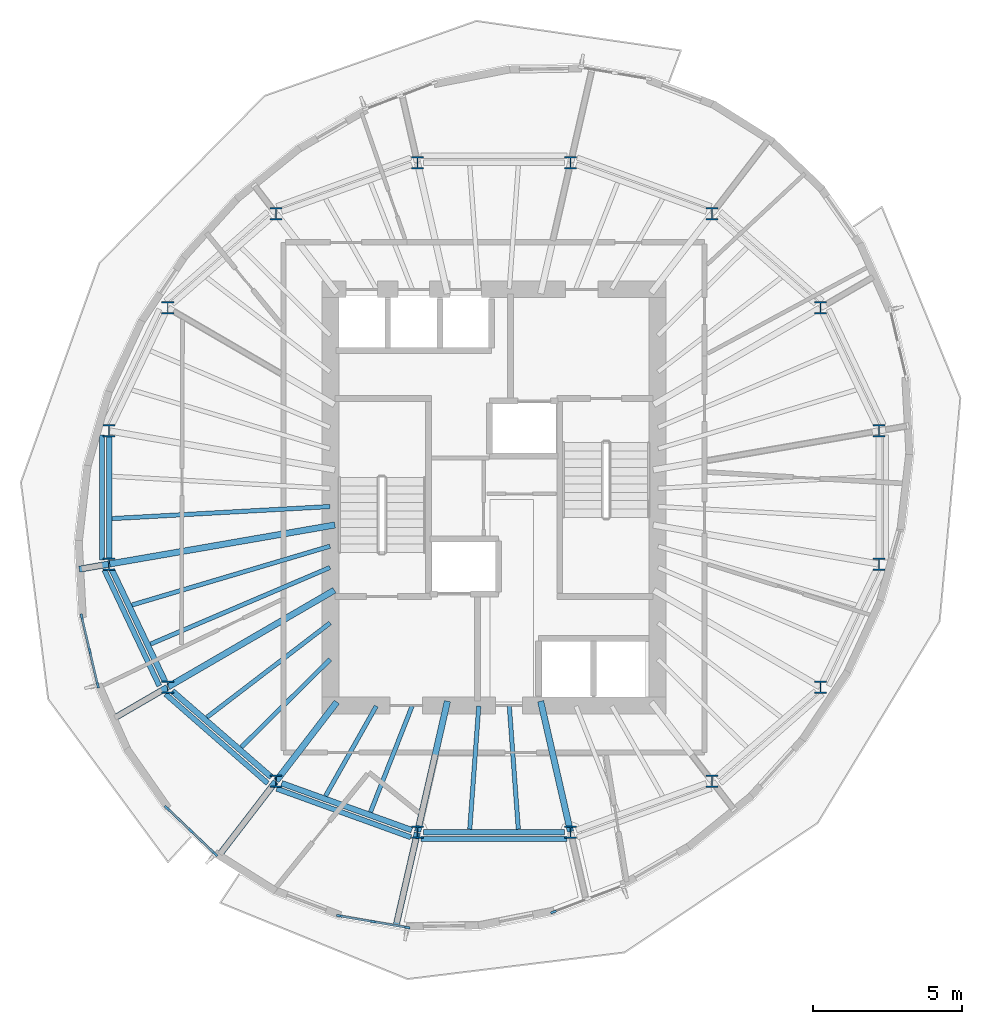
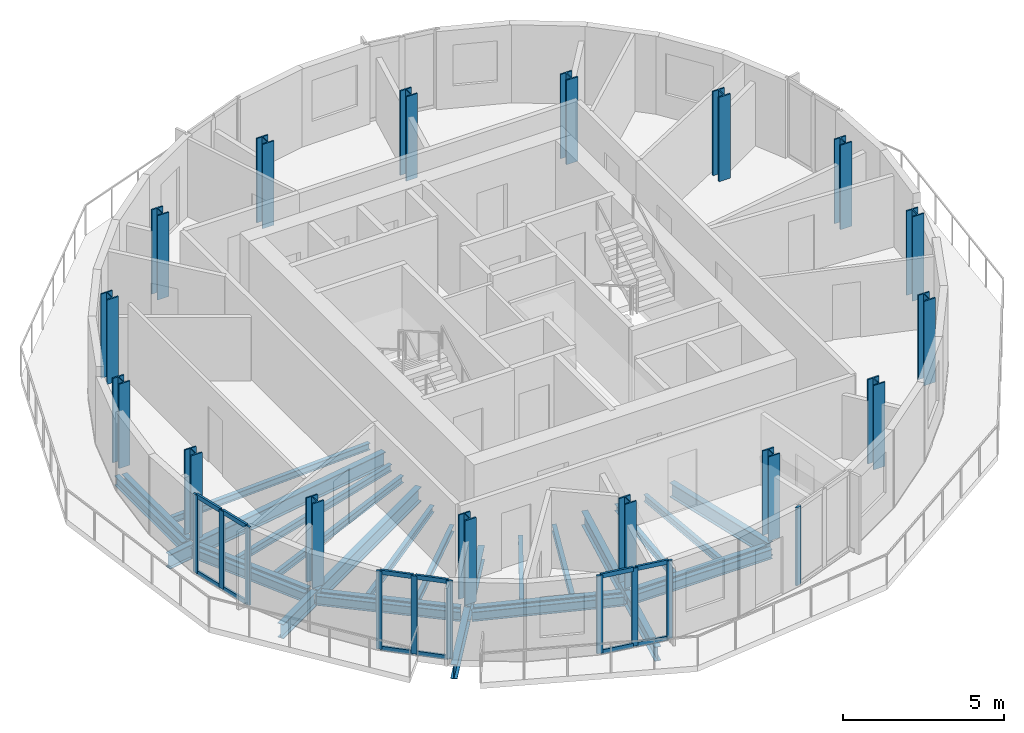
# One storey, part 1 of 11: 28 beams, 22 members, 16 columns, 4 elements without a shape of their own.
"""IFC4 building model written with IfcOpenShell, lengths in metres."""

from ifc_helpers import new_model, si_unit, direction, frame, origin, origin_2d, place, context, subcontext, project, spatial, rectangle, i_section, extrude, material, material_profile, profile_set, type_object, element, aggregate, save


model = new_model("IFC4")

# Units and contexts
model_context = context("Model", 3, precision=1e-05, world=origin(), true_north=direction((0.0, 1.0)))
body_context = subcontext(model_context, "Body", "Model", "MODEL_VIEW")
ifc_project = project(units=[si_unit("LENGTHUNIT", "METRE"), si_unit("AREAUNIT", "SQUARE_METRE"), si_unit("VOLUMEUNIT", "CUBIC_METRE"), si_unit("PLANEANGLEUNIT", "RADIAN"), si_unit("MASSUNIT", "GRAM", prefix="KILO")], contexts=[model_context])

# Site, building, storey
site_placement = place(None, origin())
site = spatial("IfcSite", under=ifc_project, at=site_placement, CompositionType="ELEMENT")
building_placement = place(site_placement, origin())
building = spatial("IfcBuilding", under=site, at=building_placement, Name="Veldorim Arch Residences", CompositionType="ELEMENT")
storey_placement = place(building_placement, frame((0.0, 0.0, 207.840087890625)))
storey = spatial("IfcBuildingStorey", under=building, at=storey_placement, Name="L62", CompositionType="ELEMENT", Elevation=207.840087890625)

# Columns
ifc_material_1 = material(Name="Steel S460", Category="steel")
ifc_material_profile_1 = material_profile(ifc_material_1, i_section(OverallWidth=0.406982421875, OverallDepth=0.4189453125, WebThickness=0.030517578125, FlangeThickness=0.04931640625, at=origin_2d()), Name="UC356x406x393")
ifc_profile_set_1 = profile_set([ifc_material_profile_1], Name="Steel S460")
column_type = type_object("IfcColumnType", Name="Structural Column UC356x406x393", PredefinedType="COLUMN", material=ifc_profile_set_1)
for number, where, z_axis, x_axis, name in (
    (1, (44.9462890625, 26.239501953125, 0.0), (0.0, 0.0, 1.0), (1.0, 0.0, 0.0), "L62 TC-Z4-01 perimeter column"),
    (2, (42.975341796875, 30.3779296875, 0.0), (0.0, 0.0, 1.0), (1.0, 0.0, 0.0), "L62 TC-Z4-02 perimeter column"),
    (3, (39.33349609375, 33.54541015625, 0.0), (0.0, 0.0, 1.0), (1.0, 0.0, 0.0), "L62 TC-Z4-03 perimeter column"),
    (4, (34.5751953125, 35.259521484375, 0.0), (0.0, 0.0, 1.0), (1.0, 0.0, 0.0), "L62 TC-Z4-04 perimeter column"),
    (5, (29.4248046875, 35.259521484375, 0.0), (0.0, 0.0, 1.0), (1.0, 0.0, 0.0), "L62 TC-Z4-05 perimeter column"),
    (6, (24.66650390625, 33.54541015625, 0.0), (0.0, 0.0, 1.0), (1.0, 0.0, 0.0), "L62 TC-Z4-06 perimeter column"),
    (7, (21.024658203125, 30.3779296875, 0.0), (0.0, 0.0, 1.0), (1.0, 0.0, 0.0), "L62 TC-Z4-07 perimeter column"),
    (8, (19.0537109375, 26.239501953125, 0.0), (0.0, 0.0, 1.0), (1.0, 0.0, 0.0), "L62 TC-Z4-08 perimeter column"),
    (9, (19.0537109375, 21.760498046875, 0.0), (0.0, 0.0, 1.0), (1.0, 0.0, 0.0), "L62 TC-Z4-09 perimeter column"),
    (10, (21.024658203125, 17.6220703125, 0.0), (0.0, 0.0, 1.0), (1.0, 0.0, 0.0), "L62 TC-Z4-10 perimeter column"),
    (11, (24.66650390625, 14.45458984375, 0.0), (0.0, 0.0, 1.0), (1.0, 0.0, 0.0), "L62 TC-Z4-11 perimeter column"),
    (12, (29.4248046875, 12.740478515625, 0.0), (0.0, 0.0, 1.0), (1.0, 0.0, 0.0), "L62 TC-Z4-12 perimeter column"),
    (13, (34.5751953125, 12.740478515625, 0.0), (0.0, 0.0, 1.0), (1.0, 0.0, 0.0), "L62 TC-Z4-13 perimeter column"),
    (14, (39.33349609375, 14.45458984375, 0.0), (0.0, 0.0, 1.0), (1.0, 0.0, 0.0), "L62 TC-Z4-14 perimeter column"),
    (15, (42.975341796875, 17.6220703125, 0.0), (0.0, 0.0, 1.0), (1.0, 0.0, 0.0), "L62 TC-Z4-15 perimeter column"),
    (16, (44.9462890625, 21.760498046875, 0.0), (0.0, 0.0, 1.0), (1.0, 0.0, 0.0), "L62 TC-Z4-16 perimeter column"),
):
    element("IfcColumn", number, at=place(storey_placement, frame(where, z_axis=z_axis, x_axis=x_axis)), inside=storey, type_object=column_type, Name=name, PredefinedType="COLUMN", context=body_context, shape_type="SweptSolid", body=[
        extrude(i_section(OverallWidth=0.406982421875, OverallDepth=0.4189453125, WebThickness=0.030517578125, FlangeThickness=0.04931640625, at=origin_2d()), origin(), (0.0, 0.0, 1.0), 3.199951171875),
    ])

# Beams
ifc_material_2 = material(Name="Steel S355", Category="steel")
ifc_material_profile_2 = material_profile(ifc_material_2, i_section(OverallWidth=0.2119140625, OverallDepth=0.54443359375, WebThickness=0.0126953125, FlangeThickness=0.021240234375, at=origin_2d()), Name="UB533x210x122")
ifc_profile_set_2 = profile_set([ifc_material_profile_2], Name="Steel S355")
beam_type_1 = type_object("IfcBeamType", Name="Structural Steel Beam UB533x210x122", PredefinedType="BEAM", material=ifc_profile_set_2)
beam_1_placement = place(storey_placement, frame((26.647705078125, 23.07421875, -0.512451171875), z_axis=(-0.985364974081, -0.170457818401, 0.0), x_axis=(0.170457818401, -0.985364974081, 0.0)))
element("IfcBeam", 17, at=beam_1_placement, inside=storey, type_object=beam_type_1, Name="L62 radial floor girder 09", PredefinedType="BEAM", context=body_context, shape_type="SweptSolid", body=[
    extrude(i_section(OverallWidth=0.2119140625, OverallDepth=0.54443359375, WebThickness=0.0126953125, FlangeThickness=0.021240234375, at=origin_2d()), origin(), (0.0, 0.0, 1.0), 7.68701171875),
])
beam_2_placement = place(storey_placement, frame((19.033935546875, 21.757080078125, -0.512451171875), z_axis=(-0.985359962619, -0.170486785611, 0.0), x_axis=(0.170486785611, -0.985359962619, 0.0)))
element("IfcBeam", 18, at=beam_2_placement, inside=storey, type_object=beam_type_1, Name="L62 radial edge cantilever girder 09", PredefinedType="BEAM", context=body_context, shape_type="SweptSolid", body=[
    extrude(i_section(OverallWidth=0.2119140625, OverallDepth=0.54443359375, WebThickness=0.0126953125, FlangeThickness=0.021240234375, at=origin_2d()), origin(), (0.0, 0.0, 1.0), 1.0009765625),
])
beam_3_placement = place(storey_placement, frame((26.629638671875, 20.87939453125, -0.512451171875), z_axis=(-0.864595736304, -0.502468121142, 0.0), x_axis=(0.502468121142, -0.864595736304, 0.0)))
element("IfcBeam", 19, at=beam_3_placement, inside=storey, type_object=beam_type_1, Name="L62 radial floor girder 10", PredefinedType="BEAM", context=body_context, shape_type="SweptSolid", body=[
    extrude(i_section(OverallWidth=0.2119140625, OverallDepth=0.54443359375, WebThickness=0.0126953125, FlangeThickness=0.021240234375, at=origin_2d()), origin(), (0.0, 0.0, 1.0), 6.462646484375),
])
beam_4_placement = place(storey_placement, frame((21.00732421875, 17.612060546875, -0.512451171875), z_axis=(-0.864627264139, -0.502413867351, 0.0), x_axis=(0.502413867351, -0.864627264139, 0.0)))
element("IfcBeam", 20, at=beam_4_placement, inside=storey, type_object=beam_type_1, Name="L62 radial edge cantilever girder 10", PredefinedType="BEAM", context=body_context, shape_type="SweptSolid", body=[
    extrude(i_section(OverallWidth=0.2119140625, OverallDepth=0.54443359375, WebThickness=0.0126953125, FlangeThickness=0.021240234375, at=origin_2d()), origin(), (0.0, 0.0, 1.0), 2.11572265625),
])
beam_5_placement = place(storey_placement, frame((26.71337890625, 17.118896484375, -0.512451171875), z_axis=(-0.609258442308, -0.792971721108, 0.0), x_axis=(0.792971721108, -0.609258442308, 0.0)))
element("IfcBeam", 21, at=beam_5_placement, inside=storey, type_object=beam_type_1, Name="L62 radial floor girder 11", PredefinedType="BEAM", context=body_context, shape_type="SweptSolid", body=[
    extrude(i_section(OverallWidth=0.2119140625, OverallDepth=0.54443359375, WebThickness=0.0126953125, FlangeThickness=0.021240234375, at=origin_2d()), origin(), (0.0, 0.0, 1.0), 3.339599609375),
])
beam_6_placement = place(storey_placement, frame((24.654296875, 14.438720703125, -0.512451171875), z_axis=(-0.609276560014, -0.792957800527, 0.0), x_axis=(0.792957800527, -0.609276560014, 0.0)))
element("IfcBeam", 22, at=beam_6_placement, inside=storey, type_object=beam_type_1, Name="L62 radial edge cantilever girder 11", PredefinedType="BEAM", context=body_context, shape_type="SweptSolid", body=[
    extrude(i_section(OverallWidth=0.2119140625, OverallDepth=0.54443359375, WebThickness=0.0126953125, FlangeThickness=0.021240234375, at=origin_2d()), origin(), (0.0, 0.0, 1.0), 3.15283203125),
])
beam_7_placement = place(storey_placement, frame((30.432373046875, 17.146240234375, -0.512451171875), z_axis=(-0.222952976993, -0.97482920045, 0.0), x_axis=(0.97482920045, -0.222952976993, 0.0)))
element("IfcBeam", 23, at=beam_7_placement, inside=storey, type_object=beam_type_1, Name="L62 radial floor girder 12", PredefinedType="BEAM", context=body_context, shape_type="SweptSolid", body=[
    extrude(i_section(OverallWidth=0.2119140625, OverallDepth=0.54443359375, WebThickness=0.0126953125, FlangeThickness=0.021240234375, at=origin_2d()), origin(), (0.0, 0.0, 1.0), 4.49951171875),
])
beam_8_placement = place(storey_placement, frame((29.42041015625, 12.72119140625, -0.512451171875), z_axis=(-0.222999223543, -0.974818622257, 0.0), x_axis=(0.974818622257, -0.222999223543, 0.0)))
element("IfcBeam", 24, at=beam_8_placement, inside=storey, type_object=beam_type_1, Name="L62 radial edge cantilever girder 12", PredefinedType="BEAM", context=body_context, shape_type="SweptSolid", body=[
    extrude(i_section(OverallWidth=0.2119140625, OverallDepth=0.54443359375, WebThickness=0.0126953125, FlangeThickness=0.021240234375, at=origin_2d()), origin(), (0.0, 0.0, 1.0), 3.1923828125),
])
beam_9_placement = place(storey_placement, frame((33.567626953125, 17.146240234375, -0.512451171875), z_axis=(0.222952976993, -0.97482920045, 0.0), x_axis=(0.97482920045, 0.222952976993, 0.0)))
element("IfcBeam", 25, at=beam_9_placement, inside=storey, type_object=beam_type_1, Name="L62 radial floor girder 13", PredefinedType="BEAM", context=body_context, shape_type="SweptSolid", body=[
    extrude(i_section(OverallWidth=0.2119140625, OverallDepth=0.54443359375, WebThickness=0.0126953125, FlangeThickness=0.021240234375, at=origin_2d()), origin(), (0.0, 0.0, 1.0), 4.49951171875),
])
ifc_material_3 = material(Name="Steel S355", Category="steel")
ifc_material_profile_3 = material_profile(ifc_material_3, i_section(OverallWidth=0.146484375, OverallDepth=0.256103515625, WebThickness=0.00634765625, FlangeThickness=0.010986328125, at=origin_2d()), Name="UB254x146x37")
ifc_profile_set_3 = profile_set([ifc_material_profile_3], Name="Steel S355")
beam_type_2 = type_object("IfcBeamType", Name="Structural Steel Joist UB254x146x37", PredefinedType="JOIST", material=ifc_profile_set_3)
beam_10_placement = place(storey_placement, frame((26.47998046875, 23.6943359375, -0.3681640625), z_axis=(-0.998472000884, -0.055259962464, 0.0), x_axis=(0.055259962464, -0.998472000884, 0.0)))
element("IfcBeam", 26, at=beam_10_placement, inside=storey, type_object=beam_type_2, Name="L62 secondary radial floor joist 08-2", PredefinedType="JOIST", context=body_context, shape_type="SweptSolid", body=[
    extrude(i_section(OverallWidth=0.146484375, OverallDepth=0.256103515625, WebThickness=0.00634765625, FlangeThickness=0.010986328125, at=origin_2d()), origin(), (0.0, 0.0, 1.0), 7.33837890625),
])
beam_11_placement = place(storey_placement, frame((26.480712890625, 22.360595703125, -0.3681640625), z_axis=(-0.958594432792, -0.284774846889, 0.0), x_axis=(0.284774846889, -0.958594432792, 0.0)))
element("IfcBeam", 27, at=beam_11_placement, inside=storey, type_object=beam_type_2, Name="L62 secondary radial floor joist 09-1", PredefinedType="JOIST", context=body_context, shape_type="SweptSolid", body=[
    extrude(i_section(OverallWidth=0.146484375, OverallDepth=0.256103515625, WebThickness=0.00634765625, FlangeThickness=0.010986328125, at=origin_2d()), origin(), (0.0, 0.0, 1.0), 6.949462890625),
])
beam_12_placement = place(storey_placement, frame((26.481689453125, 21.644287109375, -0.3681640625), z_axis=(-0.919725161652, -0.392562895629, 0.0), x_axis=(0.392562895629, -0.919725161652, 0.0)))
element("IfcBeam", 28, at=beam_12_placement, inside=storey, type_object=beam_type_2, Name="L62 secondary radial floor joist 09-2", PredefinedType="JOIST", context=body_context, shape_type="SweptSolid", body=[
    extrude(i_section(OverallWidth=0.146484375, OverallDepth=0.256103515625, WebThickness=0.00634765625, FlangeThickness=0.010986328125, at=origin_2d()), origin(), (0.0, 0.0, 1.0), 6.5625),
])
beam_13_placement = place(storey_placement, frame((26.484130859375, 19.777099609375, -0.3681640625), z_axis=(-0.794013672216, -0.607899899929, 0.0), x_axis=(0.607899899929, -0.794013672216, 0.0)))
element("IfcBeam", 29, at=beam_13_placement, inside=storey, type_object=beam_type_2, Name="L62 secondary radial floor joist 10-1", PredefinedType="JOIST", context=body_context, shape_type="SweptSolid", body=[
    extrude(i_section(OverallWidth=0.146484375, OverallDepth=0.256103515625, WebThickness=0.00634765625, FlangeThickness=0.010986328125, at=origin_2d()), origin(), (0.0, 0.0, 1.0), 5.217041015625),
])
beam_14_placement = place(storey_placement, frame((26.48583984375, 18.55224609375, -0.3681640625), z_axis=(-0.711396725432, -0.702790650937, 0.0), x_axis=(0.702790650937, -0.711396725432, 0.0)))
element("IfcBeam", 30, at=beam_14_placement, inside=storey, type_object=beam_type_2, Name="L62 secondary radial floor joist 10-2", PredefinedType="JOIST", context=body_context, shape_type="SweptSolid", body=[
    extrude(i_section(OverallWidth=0.146484375, OverallDepth=0.256103515625, WebThickness=0.00634765625, FlangeThickness=0.010986328125, at=origin_2d()), origin(), (0.0, 0.0, 1.0), 4.198486328125),
])
beam_15_placement = place(storey_placement, frame((28.039794921875, 16.982666015625, -0.3681640625), z_axis=(-0.491452469585, -0.870904397818, 0.0), x_axis=(0.870904397818, -0.491452469585, 0.0)))
element("IfcBeam", 31, at=beam_15_placement, inside=storey, type_object=beam_type_2, Name="L62 secondary radial floor joist 11-1", PredefinedType="JOIST", context=body_context, shape_type="SweptSolid", body=[
    extrude(i_section(OverallWidth=0.146484375, OverallDepth=0.256103515625, WebThickness=0.00634765625, FlangeThickness=0.010986328125, at=origin_2d()), origin(), (0.0, 0.0, 1.0), 3.472412109375),
])
beam_16_placement = place(storey_placement, frame((29.24365234375, 16.9814453125, -0.3681640625), z_axis=(-0.365581383042, -0.930779379001, 0.0), x_axis=(0.930779379001, -0.365581383042, 0.0)))
element("IfcBeam", 32, at=beam_16_placement, inside=storey, type_object=beam_type_2, Name="L62 secondary radial floor joist 11-2", PredefinedType="JOIST", context=body_context, shape_type="SweptSolid", body=[
    extrude(i_section(OverallWidth=0.146484375, OverallDepth=0.256103515625, WebThickness=0.00634765625, FlangeThickness=0.010986328125, at=origin_2d()), origin(), (0.0, 0.0, 1.0), 3.83056640625),
])
for number, where, z_axis, x_axis, name in (
    (33, (31.486083984375, 16.97998046875, -0.3681640625), (-0.072985625899, -0.997332992742, 0.0), (0.997332992742, -0.072985625899, 0.0), "L62 secondary radial floor joist 12-1"),
    (34, (32.513916015625, 16.97998046875, -0.3681640625), (0.072985625899, -0.997332992742, 0.0), (0.997332992742, 0.072985625899, 0.0), "L62 secondary radial floor joist 12-2"),
):
    element("IfcBeam", number, at=place(storey_placement, frame(where, z_axis=z_axis, x_axis=x_axis)), inside=storey, type_object=beam_type_2, Name=name, PredefinedType="JOIST", context=body_context, shape_type="SweptSolid", body=[
        extrude(i_section(OverallWidth=0.146484375, OverallDepth=0.256103515625, WebThickness=0.00634765625, FlangeThickness=0.010986328125, at=origin_2d()), origin(), (0.0, 0.0, 1.0), 4.151123046875),
    ])
ifc_material_4 = material(Name="Steel S355", Category="steel")
ifc_material_profile_4 = material_profile(ifc_material_4, i_section(OverallWidth=0.172119140625, OverallDepth=0.35791015625, WebThickness=0.008056640625, FlangeThickness=0.012939453125, at=origin_2d()), Name="UB356x171x57")
ifc_profile_set_4 = profile_set([ifc_material_profile_4], Name="Steel S355")
beam_type_3 = type_object("IfcBeamType", Name="Structural Steel Spandrel UB356x171x57", PredefinedType="SPANDREL", material=ifc_profile_set_4)
beam_17_placement = place(storey_placement, frame((18.817138671875, 26.101318359375, -0.439208984375), z_axis=(0.0, -1.0, 0.0), x_axis=(1.0, 0.0, 0.0)))
element("IfcBeam", 35, at=beam_17_placement, inside=storey, type_object=beam_type_3, Name="L62 perimeter chord spandrel beam 08", PredefinedType="SPANDREL", context=body_context, shape_type="SweptSolid", body=[
    extrude(i_section(OverallWidth=0.172119140625, OverallDepth=0.35791015625, WebThickness=0.008056640625, FlangeThickness=0.012939453125, at=origin_2d()), origin(), (0.0, 0.0, 1.0), 4.20263671875),
])
beam_18_placement = place(storey_placement, frame((18.893798828125, 21.5576171875, -0.439208984375), z_axis=(0.428468601304, -0.903556670994, 0.0), x_axis=(0.903556670994, 0.428468601304, 0.0)))
element("IfcBeam", 36, at=beam_18_placement, inside=storey, type_object=beam_type_3, Name="L62 perimeter chord spandrel beam 09", PredefinedType="SPANDREL", context=body_context, shape_type="SweptSolid", body=[
    extrude(i_section(OverallWidth=0.172119140625, OverallDepth=0.35791015625, WebThickness=0.008056640625, FlangeThickness=0.012939453125, at=origin_2d()), origin(), (0.0, 0.0, 1.0), 4.31005859375),
])
beam_19_placement = place(storey_placement, frame((20.951904296875, 17.3837890625, -0.439208984375), z_axis=(0.752868439096, -0.658171036596, 0.0), x_axis=(0.658171036596, 0.752868439096, 0.0)))
element("IfcBeam", 37, at=beam_19_placement, inside=storey, type_object=beam_type_3, Name="L62 perimeter chord spandrel beam 10", PredefinedType="SPANDREL", context=body_context, shape_type="SweptSolid", body=[
    extrude(i_section(OverallWidth=0.172119140625, OverallDepth=0.35791015625, WebThickness=0.008056640625, FlangeThickness=0.012939453125, at=origin_2d()), origin(), (0.0, 0.0, 1.0), 4.560791015625),
])
beam_20_placement = place(storey_placement, frame((24.688720703125, 14.203369140625, -0.439208984375), z_axis=(0.940178823137, -0.340681347486, 0.0), x_axis=(0.340681347486, 0.940178823137, 0.0)))
element("IfcBeam", 38, at=beam_20_placement, inside=storey, type_object=beam_type_3, Name="L62 perimeter chord spandrel beam 11", PredefinedType="SPANDREL", context=body_context, shape_type="SweptSolid", body=[
    extrude(i_section(OverallWidth=0.172119140625, OverallDepth=0.35791015625, WebThickness=0.008056640625, FlangeThickness=0.012939453125, at=origin_2d()), origin(), (0.0, 0.0, 1.0), 4.80126953125),
])
beam_21_placement = place(storey_placement, frame((29.55029296875, 12.506591796875, -0.439208984375), z_axis=(1.0, 0.0, 0.0), x_axis=(0.0, 1.0, 0.0)))
element("IfcBeam", 39, at=beam_21_placement, inside=storey, type_object=beam_type_3, Name="L62 perimeter chord spandrel beam 12", PredefinedType="SPANDREL", context=body_context, shape_type="SweptSolid", body=[
    extrude(i_section(OverallWidth=0.172119140625, OverallDepth=0.35791015625, WebThickness=0.008056640625, FlangeThickness=0.012939453125, at=origin_2d()), origin(), (0.0, 0.0, 1.0), 4.8994140625),
])
ifc_material_5 = material(Name="Steel S355", Category="steel")
ifc_material_profile_5 = material_profile(ifc_material_5, i_section(OverallWidth=0.19140625, OverallDepth=0.4599609375, WebThickness=0.010009765625, FlangeThickness=0.01611328125, at=origin_2d()), Name="UB457x191x82")
ifc_profile_set_5 = profile_set([ifc_material_profile_5], Name="Steel S355")
beam_type_4 = type_object("IfcBeamType", Name="Structural Steel Spandrel UB457x191x82", PredefinedType="SPANDREL", material=ifc_profile_set_5)
beam_22_placement = place(storey_placement, frame((19.0537109375, 26.0361328125, -0.469970703125), z_axis=(0.0, -1.0, 0.0), x_axis=(1.0, 0.0, 0.0)))
element("IfcBeam", 40, at=beam_22_placement, inside=storey, type_object=beam_type_4, Name="L62 perimeter ring tie beam 08", PredefinedType="SPANDREL", context=body_context, shape_type="SweptSolid", body=[
    extrude(i_section(OverallWidth=0.19140625, OverallDepth=0.4599609375, WebThickness=0.010009765625, FlangeThickness=0.01611328125, at=origin_2d()), origin(), (0.0, 0.0, 1.0), 4.072265625),
])
beam_23_placement = place(storey_placement, frame((19.14111328125, 21.57666015625, -0.469970703125), z_axis=(0.429992574394, -0.902832424078, 0.0), x_axis=(0.902832424078, 0.429992574394, 0.0)))
element("IfcBeam", 41, at=beam_23_placement, inside=storey, type_object=beam_type_4, Name="L62 perimeter ring tie beam 09", PredefinedType="SPANDREL", context=body_context, shape_type="SweptSolid", body=[
    extrude(i_section(OverallWidth=0.19140625, OverallDepth=0.4599609375, WebThickness=0.010009765625, FlangeThickness=0.01611328125, at=origin_2d()), origin(), (0.0, 0.0, 1.0), 4.176513671875),
])
beam_24_placement = place(storey_placement, frame((21.17822265625, 17.488525390625, -0.469970703125), z_axis=(0.754534162517, -0.656260769508, 0.0), x_axis=(0.656260769508, 0.754534162517, 0.0)))
element("IfcBeam", 42, at=beam_24_placement, inside=storey, type_object=beam_type_4, Name="L62 perimeter ring tie beam 10", PredefinedType="SPANDREL", context=body_context, shape_type="SweptSolid", body=[
    extrude(i_section(OverallWidth=0.19140625, OverallDepth=0.4599609375, WebThickness=0.010009765625, FlangeThickness=0.01611328125, at=origin_2d()), origin(), (0.0, 0.0, 1.0), 4.419677734375),
])
beam_25_placement = place(storey_placement, frame((24.85791015625, 14.3857421875, -0.469970703125), z_axis=(0.940819134121, -0.338909068736, 0.0), x_axis=(0.338909068736, 0.940819134121, 0.0)))
element("IfcBeam", 43, at=beam_25_placement, inside=storey, type_object=beam_type_4, Name="L62 perimeter ring tie beam 11", PredefinedType="SPANDREL", context=body_context, shape_type="SweptSolid", body=[
    extrude(i_section(OverallWidth=0.19140625, OverallDepth=0.4599609375, WebThickness=0.010009765625, FlangeThickness=0.01611328125, at=origin_2d()), origin(), (0.0, 0.0, 1.0), 4.650634765625),
])
beam_26_placement = place(storey_placement, frame((29.62841796875, 12.740478515625, -0.469970703125), z_axis=(1.0, 0.0, 0.0), x_axis=(0.0, 1.0, 0.0)))
element("IfcBeam", 44, at=beam_26_placement, inside=storey, type_object=beam_type_4, Name="L62 perimeter ring tie beam 12", PredefinedType="SPANDREL", context=body_context, shape_type="SweptSolid", body=[
    extrude(i_section(OverallWidth=0.19140625, OverallDepth=0.4599609375, WebThickness=0.010009765625, FlangeThickness=0.01611328125, at=origin_2d()), origin(), (0.0, 0.0, 1.0), 4.7431640625),
])

# Curtain wall, members
ifc_material_6 = material(Name="Aluminium", Category="aluminium")
curtain_wall_type = type_object("IfcCurtainWallType", Name="Zone 4 High-Altitude Unitised Curtain Wall", PredefinedType="NOTDEFINED", material=ifc_material_6)
curtain_wall_1_placement = place(storey_placement, origin())
curtain_wall_1 = element("IfcCurtainWall", 45, at=curtain_wall_1_placement, inside=storey, type_object=curtain_wall_type, Name="L62 unitised curtain wall bay 15", PredefinedType="NOTDEFINED")
ifc_material_7 = material(Name="Aluminium", Category="aluminium")
ifc_material_profile_6 = material_profile(ifc_material_7, rectangle(XDim=0.074951171875, YDim=0.195068359375, at=origin_2d()), Name="ALU_MUL_75x195")
ifc_profile_set_6 = profile_set([ifc_material_profile_6], Name="Aluminium")
member_type_1 = type_object("IfcMemberType", Name="Zone 4 High-Altitude Unitised Curtain Wall Mullion 75x195", PredefinedType="MULLION", material=ifc_profile_set_6)
member_1_placement = place(storey_placement, frame((18.67138671875, 17.68359375, 0.0), z_axis=(0.0, 0.0, 1.0), x_axis=(-0.973448307703, -0.228906951032, 0.0)))
member_1 = element("IfcMember", 46, at=member_1_placement, type_object=member_type_1, Name="CW-Z4 mullion 1", PredefinedType="MULLION", context=body_context, shape_type="SweptSolid", body=[
    extrude(rectangle(XDim=0.074951171875, YDim=0.195068359375, at=origin_2d()), origin(), (0.0, 0.0, 1.0), 2.9599609375),
])
member_2_placement = place(storey_placement, frame((18.400390625, 18.835693359375, 0.0), z_axis=(0.0, 0.0, 1.0), x_axis=(-0.973448307703, -0.228906951032, 0.0)))
member_2 = element("IfcMember", 47, at=member_2_placement, type_object=member_type_1, Name="CW-Z4 mullion 2", PredefinedType="MULLION", context=body_context, shape_type="SweptSolid", body=[
    extrude(rectangle(XDim=0.074951171875, YDim=0.195068359375, at=origin_2d()), origin(), (0.0, 0.0, 1.0), 2.9599609375),
])
member_3_placement = place(storey_placement, frame((18.129638671875, 19.98779296875, 0.0), z_axis=(0.0, 0.0, 1.0), x_axis=(-0.973448307703, -0.228906951032, 0.0)))
member_3 = element("IfcMember", 48, at=member_3_placement, type_object=member_type_1, Name="CW-Z4 mullion 3", PredefinedType="MULLION", context=body_context, shape_type="SweptSolid", body=[
    extrude(rectangle(XDim=0.074951171875, YDim=0.195068359375, at=origin_2d()), origin(), (0.0, 0.0, 1.0), 2.9599609375),
])

curtain_wall_2_placement = place(storey_placement, origin())
curtain_wall_2 = element("IfcCurtainWall", 49, at=curtain_wall_2_placement, inside=storey, type_object=curtain_wall_type, Name="L62 unitised curtain wall bay 18", PredefinedType="NOTDEFINED")
member_4_placement = place(storey_placement, frame((22.619873046875, 12.00537109375, 0.0), z_axis=(0.0, 0.0, 1.0), x_axis=(-0.690461423139, -0.723369216346, 0.0)))
member_4 = element("IfcMember", 50, at=member_4_placement, type_object=member_type_1, Name="CW-Z4 mullion 1", PredefinedType="MULLION", context=body_context, shape_type="SweptSolid", body=[
    extrude(rectangle(XDim=0.074951171875, YDim=0.195068359375, at=origin_2d()), origin(), (0.0, 0.0, 1.0), 2.9599609375),
])
member_5_placement = place(storey_placement, frame((21.80615234375, 12.7822265625, 0.0), z_axis=(0.0, 0.0, 1.0), x_axis=(-0.690461423139, -0.723369216346, 0.0)))
member_5 = element("IfcMember", 51, at=member_5_placement, type_object=member_type_1, Name="CW-Z4 mullion 2", PredefinedType="MULLION", context=body_context, shape_type="SweptSolid", body=[
    extrude(rectangle(XDim=0.074951171875, YDim=0.195068359375, at=origin_2d()), origin(), (0.0, 0.0, 1.0), 2.9599609375),
])
member_6_placement = place(storey_placement, frame((20.992431640625, 13.558837890625, 0.0), z_axis=(0.0, 0.0, 1.0), x_axis=(-0.690461423139, -0.723369216346, 0.0)))
member_6 = element("IfcMember", 52, at=member_6_placement, type_object=member_type_1, Name="CW-Z4 mullion 3", PredefinedType="MULLION", context=body_context, shape_type="SweptSolid", body=[
    extrude(rectangle(XDim=0.074951171875, YDim=0.195068359375, at=origin_2d()), origin(), (0.0, 0.0, 1.0), 2.9599609375),
])

curtain_wall_3_placement = place(storey_placement, origin())
curtain_wall_3 = element("IfcCurtainWall", 53, at=curtain_wall_3_placement, inside=storey, type_object=curtain_wall_type, Name="L62 unitised curtain wall bay 21", PredefinedType="NOTDEFINED")
member_7_placement = place(storey_placement, frame((29.078369140625, 9.53564453125, 0.0), z_axis=(0.0, 0.0, 1.0), x_axis=(-0.168730171812, -0.985662279445, 0.0)))
member_7 = element("IfcMember", 54, at=member_7_placement, type_object=member_type_1, Name="CW-Z4 mullion 1", PredefinedType="MULLION", context=body_context, shape_type="SweptSolid", body=[
    extrude(rectangle(XDim=0.074951171875, YDim=0.195068359375, at=origin_2d()), origin(), (0.0, 0.0, 1.0), 2.9599609375),
])
member_8_placement = place(storey_placement, frame((27.938720703125, 9.73095703125, 0.0), z_axis=(0.0, 0.0, 1.0), x_axis=(-0.168730171812, -0.985662279445, 0.0)))
member_8 = element("IfcMember", 55, at=member_8_placement, type_object=member_type_1, Name="CW-Z4 mullion 2", PredefinedType="MULLION", context=body_context, shape_type="SweptSolid", body=[
    extrude(rectangle(XDim=0.074951171875, YDim=0.195068359375, at=origin_2d()), origin(), (0.0, 0.0, 1.0), 2.9599609375),
])
member_9_placement = place(storey_placement, frame((26.798828125, 9.926025390625, 0.0), z_axis=(0.0, 0.0, 1.0), x_axis=(-0.168730171812, -0.985662279445, 0.0)))
member_9 = element("IfcMember", 56, at=member_9_placement, type_object=member_type_1, Name="CW-Z4 mullion 3", PredefinedType="MULLION", context=body_context, shape_type="SweptSolid", body=[
    extrude(rectangle(XDim=0.074951171875, YDim=0.195068359375, at=origin_2d()), origin(), (0.0, 0.0, 1.0), 2.9599609375),
])

# Curtain wall, member
curtain_wall_4_placement = place(storey_placement, origin())
curtain_wall_4 = element("IfcCurtainWall", 57, at=curtain_wall_4_placement, inside=storey, type_object=curtain_wall_type, Name="L62 unitised curtain wall bay 24", PredefinedType="NOTDEFINED")
member_10_placement = place(storey_placement, frame((34.000732421875, 10.058349609375, 0.0), z_axis=(0.0, 0.0, 1.0), x_axis=(0.354241032275, -0.935154153631, 0.0)))
member_10 = element("IfcMember", 58, at=member_10_placement, type_object=member_type_1, Name="CW-Z4 mullion 3", PredefinedType="MULLION", context=body_context, shape_type="SweptSolid", body=[
    extrude(rectangle(XDim=0.074951171875, YDim=0.195068359375, at=origin_2d()), origin(), (0.0, 0.0, 1.0), 2.9599609375),
])
aggregate(curtain_wall_4, [member_10])

# Member
ifc_material_8 = material(Name="Aluminium", Category="aluminium")
ifc_material_profile_7 = material_profile(ifc_material_8, rectangle(XDim=0.074951171875, YDim=0.1650390625, at=origin_2d()), Name="ALU_TRN_75x165")
ifc_profile_set_7 = profile_set([ifc_material_profile_7], Name="Aluminium")
member_type_2 = type_object("IfcMemberType", Name="Zone 4 High-Altitude Unitised Curtain Wall Transom 75x165", PredefinedType="USERDEFINED", material=ifc_profile_set_7)
member_11_placement = place(storey_placement, frame((18.662841796875, 17.72021484375, 0.037353515625), z_axis=(-0.228830640868, 0.973466248927, 0.0), x_axis=(-0.973466248927, -0.228830640868, 0.0)))
member_11 = element("IfcMember", 59, at=member_11_placement, type_object=member_type_2, Name="CW-Z4 transom 1.1", ObjectType="TRANSOM", PredefinedType="USERDEFINED", context=body_context, shape_type="SweptSolid", body=[
    extrude(rectangle(XDim=0.074951171875, YDim=0.1650390625, at=origin_2d()), origin(), (0.0, 0.0, 1.0), 1.1083984375),
])

member_12_placement = place(storey_placement, frame((18.662841796875, 17.72021484375, 2.92236328125), z_axis=(-0.228830640868, 0.973466248927, 0.0), x_axis=(-0.973466248927, -0.228830640868, 0.0)))
member_12 = element("IfcMember", 60, at=member_12_placement, type_object=member_type_2, Name="CW-Z4 transom 1.2", ObjectType="TRANSOM", PredefinedType="USERDEFINED", context=body_context, shape_type="SweptSolid", body=[
    extrude(rectangle(XDim=0.074951171875, YDim=0.1650390625, at=origin_2d()), origin(), (0.0, 0.0, 1.0), 1.1083984375),
])

member_13_placement = place(storey_placement, frame((18.391845703125, 18.872314453125, 0.037353515625), z_axis=(-0.228830640868, 0.973466248927, 0.0), x_axis=(-0.973466248927, -0.228830640868, 0.0)))
member_13 = element("IfcMember", 61, at=member_13_placement, type_object=member_type_2, Name="CW-Z4 transom 2.1", ObjectType="TRANSOM", PredefinedType="USERDEFINED", context=body_context, shape_type="SweptSolid", body=[
    extrude(rectangle(XDim=0.074951171875, YDim=0.1650390625, at=origin_2d()), origin(), (0.0, 0.0, 1.0), 1.1083984375),
])

member_14_placement = place(storey_placement, frame((18.391845703125, 18.872314453125, 2.92236328125), z_axis=(-0.228830640868, 0.973466248927, 0.0), x_axis=(-0.973466248927, -0.228830640868, 0.0)))
member_14 = element("IfcMember", 62, at=member_14_placement, type_object=member_type_2, Name="CW-Z4 transom 2.2", ObjectType="TRANSOM", PredefinedType="USERDEFINED", context=body_context, shape_type="SweptSolid", body=[
    extrude(rectangle(XDim=0.074951171875, YDim=0.1650390625, at=origin_2d()), origin(), (0.0, 0.0, 1.0), 1.1083984375),
])

aggregate(curtain_wall_1, [member_1, member_2, member_3, member_11, member_12, member_13, member_14])

member_15_placement = place(storey_placement, frame((22.5927734375, 12.031494140625, 0.037353515625), z_axis=(-0.723424170558, 0.69040384519, 0.0), x_axis=(-0.69040384519, -0.723424170558, 0.0)))
member_15 = element("IfcMember", 63, at=member_15_placement, type_object=member_type_2, Name="CW-Z4 transom 1.1", ObjectType="TRANSOM", PredefinedType="USERDEFINED", context=body_context, shape_type="SweptSolid", body=[
    extrude(rectangle(XDim=0.074951171875, YDim=0.1650390625, at=origin_2d()), origin(), (0.0, 0.0, 1.0), 1.0498046875),
])

member_16_placement = place(storey_placement, frame((22.5927734375, 12.031494140625, 2.92236328125), z_axis=(-0.723424170558, 0.69040384519, 0.0), x_axis=(-0.69040384519, -0.723424170558, 0.0)))
member_16 = element("IfcMember", 64, at=member_16_placement, type_object=member_type_2, Name="CW-Z4 transom 1.2", ObjectType="TRANSOM", PredefinedType="USERDEFINED", context=body_context, shape_type="SweptSolid", body=[
    extrude(rectangle(XDim=0.074951171875, YDim=0.1650390625, at=origin_2d()), origin(), (0.0, 0.0, 1.0), 1.0498046875),
])

member_17_placement = place(storey_placement, frame((21.779052734375, 12.80810546875, 0.037353515625), z_axis=(-0.723424170558, 0.69040384519, 0.0), x_axis=(-0.69040384519, -0.723424170558, 0.0)))
member_17 = element("IfcMember", 65, at=member_17_placement, type_object=member_type_2, Name="CW-Z4 transom 2.1", ObjectType="TRANSOM", PredefinedType="USERDEFINED", context=body_context, shape_type="SweptSolid", body=[
    extrude(rectangle(XDim=0.074951171875, YDim=0.1650390625, at=origin_2d()), origin(), (0.0, 0.0, 1.0), 1.0498046875),
])

member_18_placement = place(storey_placement, frame((21.779052734375, 12.80810546875, 2.92236328125), z_axis=(-0.723424170558, 0.69040384519, 0.0), x_axis=(-0.69040384519, -0.723424170558, 0.0)))
member_18 = element("IfcMember", 66, at=member_18_placement, type_object=member_type_2, Name="CW-Z4 transom 2.2", ObjectType="TRANSOM", PredefinedType="USERDEFINED", context=body_context, shape_type="SweptSolid", body=[
    extrude(rectangle(XDim=0.074951171875, YDim=0.1650390625, at=origin_2d()), origin(), (0.0, 0.0, 1.0), 1.0498046875),
])

aggregate(curtain_wall_2, [member_4, member_5, member_6, member_15, member_16, member_17, member_18])

member_19_placement = place(storey_placement, frame((29.04150390625, 9.5419921875, 0.037353515625), z_axis=(-0.985639436335, 0.168863558951, 0.0), x_axis=(-0.168863558951, -0.985639436335, 0.0)))
member_19 = element("IfcMember", 67, at=member_19_placement, type_object=member_type_2, Name="CW-Z4 transom 1.1", ObjectType="TRANSOM", PredefinedType="USERDEFINED", context=body_context, shape_type="SweptSolid", body=[
    extrude(rectangle(XDim=0.074951171875, YDim=0.1650390625, at=origin_2d()), origin(), (0.0, 0.0, 1.0), 1.08154296875),
])

member_20_placement = place(storey_placement, frame((29.04150390625, 9.5419921875, 2.92236328125), z_axis=(-0.985639436335, 0.168863558951, 0.0), x_axis=(-0.168863558951, -0.985639436335, 0.0)))
member_20 = element("IfcMember", 68, at=member_20_placement, type_object=member_type_2, Name="CW-Z4 transom 1.2", ObjectType="TRANSOM", PredefinedType="USERDEFINED", context=body_context, shape_type="SweptSolid", body=[
    extrude(rectangle(XDim=0.074951171875, YDim=0.1650390625, at=origin_2d()), origin(), (0.0, 0.0, 1.0), 1.08154296875),
])

member_21_placement = place(storey_placement, frame((27.901611328125, 9.737060546875, 0.037353515625), z_axis=(-0.985639436335, 0.168863558951, 0.0), x_axis=(-0.168863558951, -0.985639436335, 0.0)))
member_21 = element("IfcMember", 69, at=member_21_placement, type_object=member_type_2, Name="CW-Z4 transom 2.1", ObjectType="TRANSOM", PredefinedType="USERDEFINED", context=body_context, shape_type="SweptSolid", body=[
    extrude(rectangle(XDim=0.074951171875, YDim=0.1650390625, at=origin_2d()), origin(), (0.0, 0.0, 1.0), 1.08154296875),
])

member_22_placement = place(storey_placement, frame((27.901611328125, 9.737060546875, 2.92236328125), z_axis=(-0.985639436335, 0.168863558951, 0.0), x_axis=(-0.168863558951, -0.985639436335, 0.0)))
member_22 = element("IfcMember", 70, at=member_22_placement, type_object=member_type_2, Name="CW-Z4 transom 2.2", ObjectType="TRANSOM", PredefinedType="USERDEFINED", context=body_context, shape_type="SweptSolid", body=[
    extrude(rectangle(XDim=0.074951171875, YDim=0.1650390625, at=origin_2d()), origin(), (0.0, 0.0, 1.0), 1.08154296875),
])

aggregate(curtain_wall_3, [member_7, member_8, member_9, member_19, member_20, member_21, member_22])

save(model, "model.ifc")
